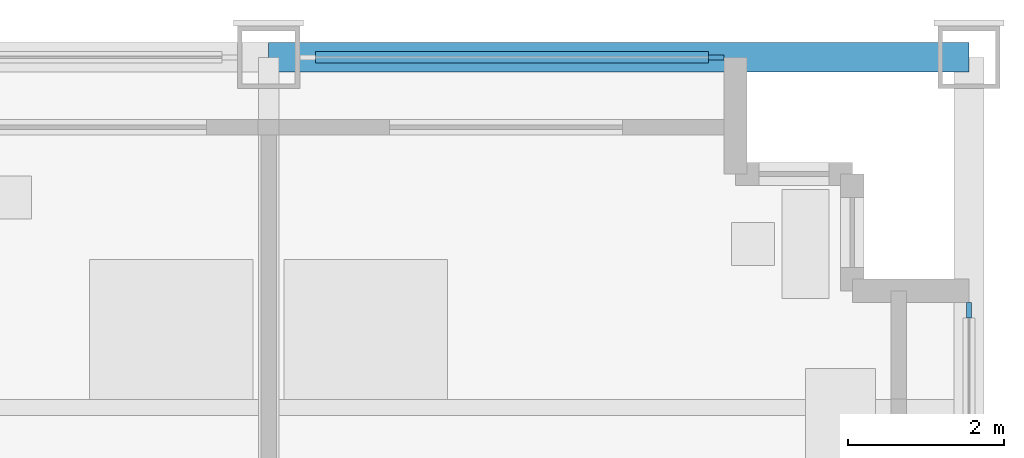
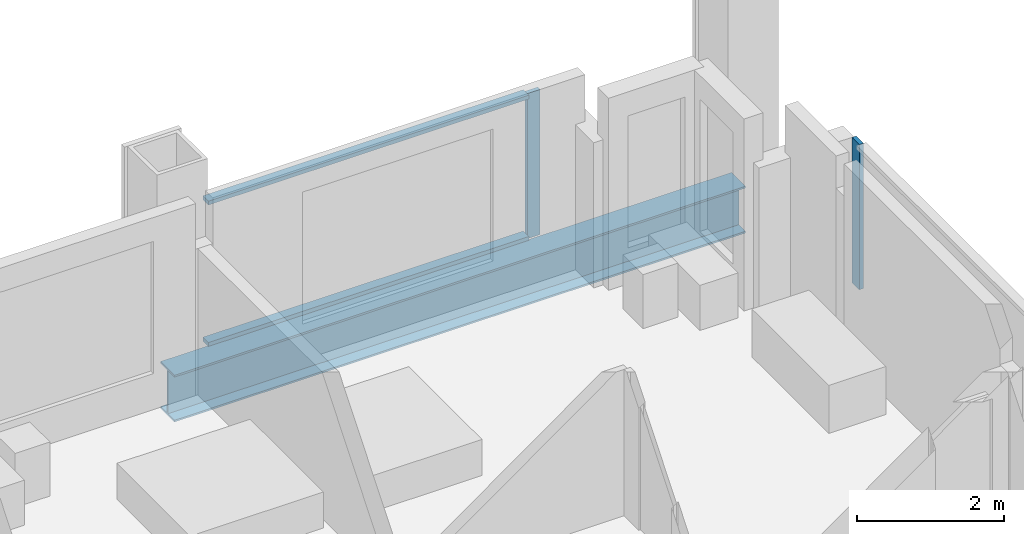
# One storey, part 7 of 17: 4 members, 1 beam, 2 elements without a shape of their own.
"""IFC4 building model written with IfcOpenShell, lengths in metres."""

from ifc_helpers import new_model, si_unit, direction, frame, origin, origin_2d, place, context, subcontext, project, spatial, rectangle, i_section, extrude, material, material_profile, profile_set, type_object, element, aggregate, save


model = new_model("IFC4")

# Units and contexts
model_context = context("Model", 3, precision=1e-05, world=origin(), true_north=direction((0.0, 1.0)))
body_context = subcontext(model_context, "Body", "Model", "MODEL_VIEW")
ifc_project = project(units=[si_unit("LENGTHUNIT", "METRE"), si_unit("AREAUNIT", "SQUARE_METRE"), si_unit("VOLUMEUNIT", "CUBIC_METRE"), si_unit("PLANEANGLEUNIT", "RADIAN"), si_unit("MASSUNIT", "GRAM", prefix="KILO")], contexts=[model_context])

# Site, building, storey
site_placement = place(None, origin())
site = spatial("IfcSite", under=ifc_project, at=site_placement, CompositionType="ELEMENT")
building_placement = place(site_placement, origin())
building = spatial("IfcBuilding", under=site, at=building_placement, Name="Loomwork Tower", CompositionType="ELEMENT")
storey_placement = place(building_placement, frame((0.0, 0.0, 141.800048828125)))
storey = spatial("IfcBuildingStorey", under=building, at=storey_placement, Name="L38", CompositionType="ELEMENT", Elevation=141.800048828125)

# Curtain wall, member
ifc_material_1 = material(Name="Aluminium curtain wall frame", Category="aluminium")
curtain_wall_type = type_object("IfcCurtainWallType", Name="Outer skin glazing hotel", PredefinedType="NOTDEFINED", material=ifc_material_1)
curtain_wall_1_placement = place(storey_placement, origin())
curtain_wall_1 = element("IfcCurtainWall", 1, at=curtain_wall_1_placement, inside=storey, type_object=curtain_wall_type, Name="Outer skin glazing hotel cw/N-36", PredefinedType="NOTDEFINED")
ifc_material_2 = material(Name="Aluminium curtain wall frame", Category="aluminium")
ifc_material_profile_1 = material_profile(ifc_material_2, rectangle(XDim=0.06494140625, YDim=0.199951171875, at=origin_2d()), Name="AL 65x200")
ifc_profile_set_1 = profile_set([ifc_material_profile_1], Name="Aluminium curtain wall frame")
member_type_1 = type_object("IfcMemberType", Name="Outer skin glazing hotel mullion", PredefinedType="MULLION", material=ifc_profile_set_1)
member_1_placement = place(storey_placement, frame((41.75, 36.0, 0.0), z_axis=(0.0, 0.0, 1.0), x_axis=(0.0, -1.0, 0.0)))
member_1 = element("IfcMember", 2, at=member_1_placement, type_object=member_type_1, Name="CW1 mullion 1", PredefinedType="MULLION", context=body_context, shape_type="SweptSolid", body=[
    extrude(rectangle(XDim=0.06494140625, YDim=0.199951171875, at=origin_2d()), origin(), (0.0, 0.0, 1.0), 2.420166015625),
])

curtain_wall_2_placement = place(storey_placement, origin())
curtain_wall_2 = element("IfcCurtainWall", 3, at=curtain_wall_2_placement, inside=storey, type_object=curtain_wall_type, Name="Outer skin glazing hotel cw/E-27", PredefinedType="NOTDEFINED")
member_2_placement = place(storey_placement, frame((45.0, 32.75, 0.0), z_axis=(0.0, 0.0, 1.0), x_axis=(-1.0, 0.0, 0.0)))
member_2 = element("IfcMember", 4, at=member_2_placement, type_object=member_type_1, Name="CW1 mullion 2", PredefinedType="MULLION", context=body_context, shape_type="SweptSolid", body=[
    extrude(rectangle(XDim=0.06494140625, YDim=0.199951171875, at=origin_2d()), origin(), (0.0, 0.0, 1.0), 2.420166015625),
])
aggregate(curtain_wall_2, [member_2])

# Member
ifc_material_3 = material(Name="Aluminium curtain wall frame", Category="aluminium")
ifc_material_profile_2 = material_profile(ifc_material_3, rectangle(XDim=0.14990234375, YDim=0.06494140625, at=origin_2d()), Name="AL 65x150")
ifc_profile_set_2 = profile_set([ifc_material_profile_2], Name="Aluminium curtain wall frame")
member_type_2 = type_object("IfcMemberType", Name="Outer skin glazing hotel transom", PredefinedType="USERDEFINED", material=ifc_profile_set_2)
member_3_placement = place(storey_placement, frame((41.64990234375, 36.0, 0.032470703125), z_axis=(-1.0, 0.0, 0.0), x_axis=(0.0, -1.0, 0.0)))
member_3 = element("IfcMember", 5, at=member_3_placement, type_object=member_type_2, Name="CW1 transom 1.1", ObjectType="TRANSOM", PredefinedType="USERDEFINED", context=body_context, shape_type="SweptSolid", body=[
    extrude(rectangle(XDim=0.14990234375, YDim=0.06494140625, at=origin_2d()), origin(), (0.0, 0.0, 1.0), 5.0498046875),
])

member_4_placement = place(storey_placement, frame((41.64990234375, 36.0, 2.3876953125), z_axis=(-1.0, 0.0, 0.0), x_axis=(0.0, -1.0, 0.0)))
member_4 = element("IfcMember", 6, at=member_4_placement, type_object=member_type_2, Name="CW1 transom 1.2", ObjectType="TRANSOM", PredefinedType="USERDEFINED", context=body_context, shape_type="SweptSolid", body=[
    extrude(rectangle(XDim=0.14990234375, YDim=0.06494140625, at=origin_2d()), origin(), (0.0, 0.0, 1.0), 5.0498046875),
])

aggregate(curtain_wall_1, [member_1, member_3, member_4])

# Beam
ifc_material_4 = material(Name="Steel ASTM A992", Category="steel")
ifc_material_profile_3 = material_profile(ifc_material_4, i_section(OverallWidth=0.381103515625, OverallDepth=0.77978515625, WebThickness=0.01806640625, FlangeThickness=0.0302734375, at=origin_2d()), Name="W30x191")
ifc_profile_set_3 = profile_set([ifc_material_profile_3], Name="Steel ASTM A992")
beam_type = type_object("IfcBeamType", Name="SPANDREL GIRDER W30x191", PredefinedType="SPANDREL", material=ifc_profile_set_3)
beam_placement = place(storey_placement, frame((36.0, 36.0, -0.58984375), z_axis=(1.0, 0.0, 0.0), x_axis=(0.0, 1.0, 0.0)))
element("IfcBeam", 7, at=beam_placement, inside=storey, type_object=beam_type, Name="Spandrel Girder H/6-H/7 L38", PredefinedType="SPANDREL", context=body_context, shape_type="SweptSolid", body=[
    extrude(i_section(OverallWidth=0.381103515625, OverallDepth=0.77978515625, WebThickness=0.01806640625, FlangeThickness=0.0302734375, at=origin_2d()), origin(), (0.0, 0.0, 1.0), 9.0),
])

save(model, "model.ifc")
